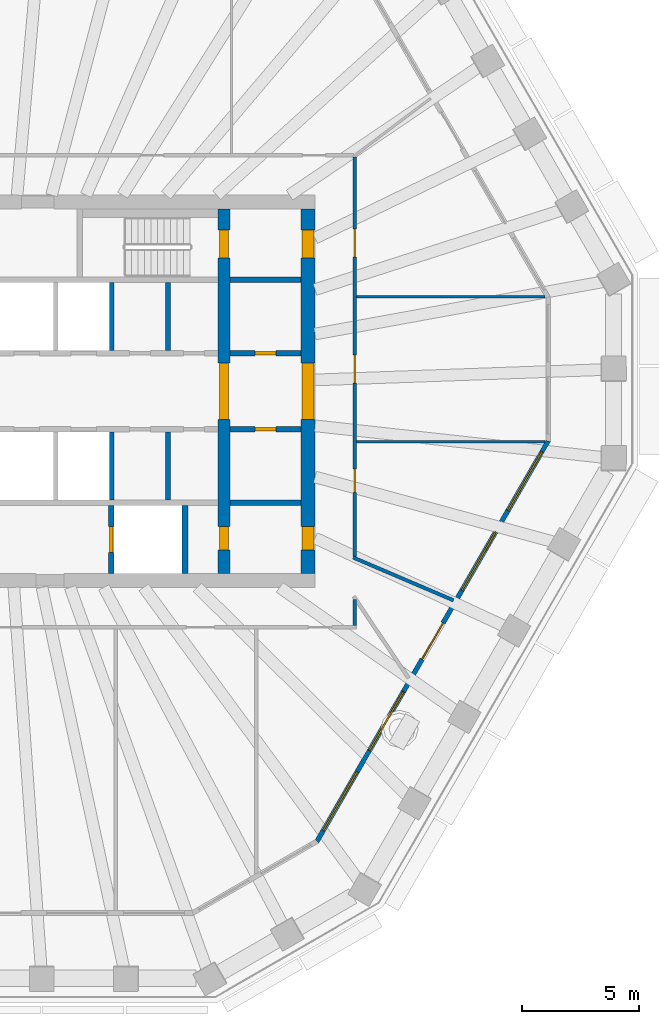
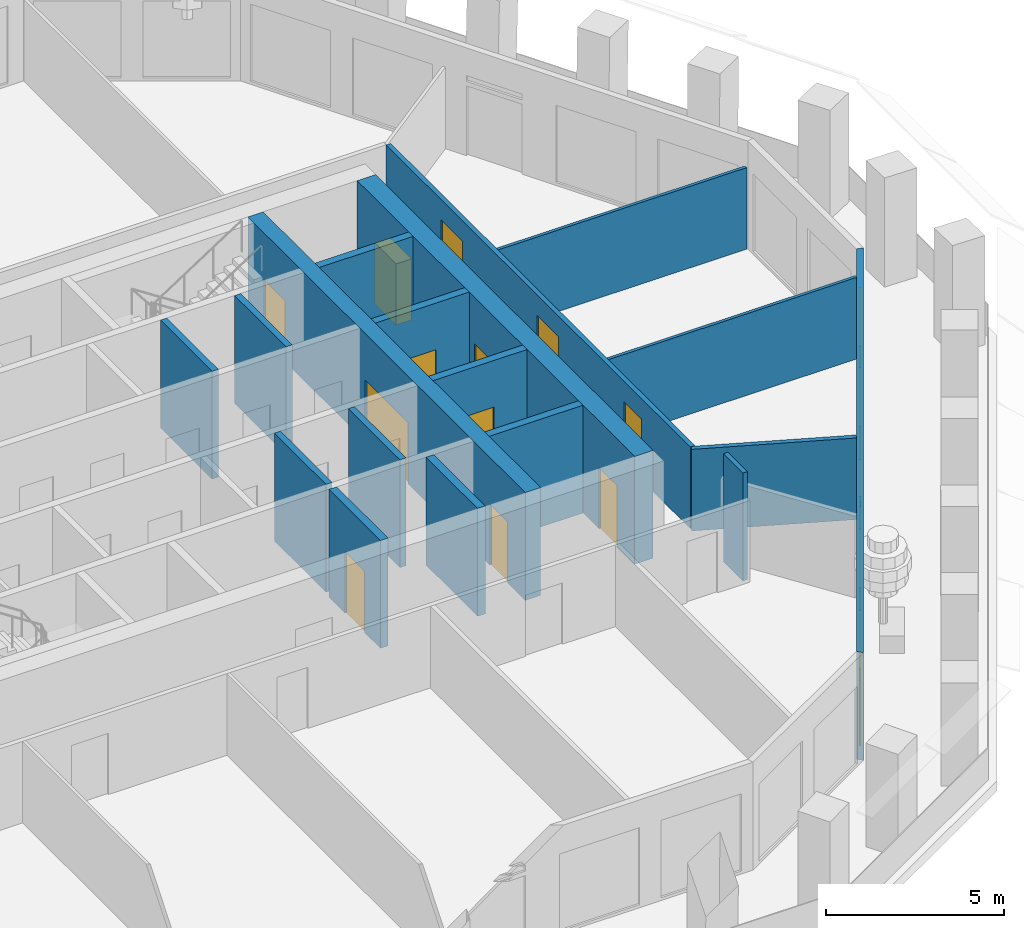
# One storey, part 6 of 12: 18 walls, 13 doors, 5 windows, 18 openings.
"""IFC4 building model written with IfcOpenShell, lengths in metres."""

import ifcopenshell
import ifcopenshell.guid

model = None  # the IFC model being written
_history = None  # IfcOwnerHistory: only IFC2X3 demands one
_inside = {}  # id of a spatial element -> (the spatial element, [elements in it])
_under = {}  # id of a project, library or spatial element -> (it, [spatial elements below it])
_declared = {}  # id of a project -> (the project, [libraries it declares])
_typed = {}  # id of a type object -> (the type object, [elements of that type])
_made_of = {}  # id of a material, layer set ... -> (it, [elements and type objects made of it])


def new_model(schema):
    """Start an empty IFC model of exactly this schema.

    Asked for "IFC4X3", IfcOpenShell would pick the latest addendum, in which some entities
    have other attributes; the version numbers below select the first issue.
    IFC2X3 requires an IfcOwnerHistory on every rooted entity: one is made here for all.
    """
    global model, _history
    if schema == "IFC4X3":
        model = ifcopenshell.file(schema_version=(4, 3, 0, 0))
    else:
        model = ifcopenshell.file(schema=schema)
    _inside.clear()
    _under.clear()
    _declared.clear()
    _typed.clear()
    _made_of.clear()
    _history = None
    if model.schema == "IFC2X3":
        org = make("IfcOrganization", Name="unknown")
        user = make(
            "IfcPersonAndOrganization",
            ThePerson=make("IfcPerson", FamilyName="unknown"),
            TheOrganization=org,
        )
        app = make(
            "IfcApplication",
            ApplicationDeveloper=org,
            Version="unknown",
            ApplicationFullName="unknown",
            ApplicationIdentifier="unknown",
        )
        _history = make(
            "IfcOwnerHistory",
            OwningUser=user,
            OwningApplication=app,
            ChangeAction="ADDED",
            CreationDate=0,
        )
    return model


def make(cls, **values):
    """One entity of the class cls with the attributes given. An attribute that is None is left unset."""
    return model.create_entity(
        cls, **{name: value for name, value in values.items() if value is not None}
    )


def rooted(cls, **values):
    """An entity with a GlobalId (a new one), such as an element, a storey or a relation."""
    return make(cls, GlobalId=ifcopenshell.guid.new(), OwnerHistory=_history, **values)


def si_unit(unit_type, name, prefix=None):
    """IfcSIUnit, for example si_unit("LENGTHUNIT", "METRE", prefix="MILLI")."""
    return make("IfcSIUnit", UnitType=unit_type, Prefix=prefix, Name=name)


def assignment(units):
    """IfcUnitAssignment: the units of a project."""
    return None if units is None else make("IfcUnitAssignment", Units=units)


def point(xyz):
    """IfcCartesianPoint."""
    return None if xyz is None else make("IfcCartesianPoint", Coordinates=xyz)


def direction(xyz):
    """IfcDirection."""
    return None if xyz is None else make("IfcDirection", DirectionRatios=xyz)


def frame(location, z_axis=None, x_axis=None):
    """IfcAxis2Placement3D, a coordinate frame: its origin and axes. An axis left out is left unset."""
    return make(
        "IfcAxis2Placement3D",
        Location=point(location),
        Axis=direction(z_axis),
        RefDirection=direction(x_axis),
    )


def frame_2d(location, x_axis=None):
    """IfcAxis2Placement2D, a coordinate frame in the plane: its origin and x axis."""
    return make(
        "IfcAxis2Placement2D", Location=point(location), RefDirection=direction(x_axis)
    )


def origin():
    """The frame at (0, 0, 0) with its axes left unset."""
    return frame((0.0, 0.0, 0.0))


def place(relative_to, where):
    """IfcLocalPlacement: puts the frame where relative to a parent placement (None: the world)."""
    return make(
        "IfcLocalPlacement", PlacementRelTo=relative_to, RelativePlacement=where
    )


def context(
    kind, dimensions, precision=None, world=None, true_north=None, identifier=None
):
    """IfcGeometricRepresentationContext, for example the 3D "Model" context."""
    return make(
        "IfcGeometricRepresentationContext",
        ContextIdentifier=identifier,
        ContextType=kind,
        CoordinateSpaceDimension=dimensions,
        Precision=precision,
        WorldCoordinateSystem=world,
        TrueNorth=true_north,
    )


def subcontext(parent, identifier, kind, view, scale=None):
    """IfcGeometricRepresentationSubContext, for example "Body" below "Model"."""
    return make(
        "IfcGeometricRepresentationSubContext",
        ContextIdentifier=identifier,
        ContextType=kind,
        ParentContext=parent,
        TargetScale=scale,
        TargetView=view,
    )


def project(units=None, contexts=None):
    """IfcProject with its units and contexts."""
    return rooted(
        "IfcProject",
        Name="project",
        RepresentationContexts=contexts,
        UnitsInContext=assignment(units),
    )


def spatial(cls, under=None, at=None, **own):
    """A site, building, storey or space (cls), placed at a placement, below another one or the project."""
    s = rooted(cls, ObjectPlacement=at, **own)
    if under is not None:
        _under.setdefault(under.id(), (under, []))[1].append(s)
    return s


def polyline(points):
    """IfcPolyline through the points."""
    return make("IfcPolyline", Points=[point(p) for p in points])


def profile(cls, at=None, kind="AREA", **sizes):
    """A parametric profile (cls). Its sizes go by their IFC names, for example OverallWidth=200.0."""
    return make(cls, ProfileType=kind, Position=at, **sizes)


def rectangle(**sizes):
    """IfcRectangleProfileDef."""
    return profile("IfcRectangleProfileDef", **sizes)


def outline(outer, holes=None, kind="AREA"):
    """IfcArbitraryClosedProfileDef: a profile drawn as a closed curve; with holes, ...WithVoids."""
    if holes is None:
        return make("IfcArbitraryClosedProfileDef", ProfileType=kind, OuterCurve=outer)
    return make(
        "IfcArbitraryProfileDefWithVoids",
        ProfileType=kind,
        OuterCurve=outer,
        InnerCurves=holes,
    )


def extrude(swept, where, along, depth):
    """IfcExtrudedAreaSolid: the profile swept, set in the frame where, extruded along a direction by depth."""
    return make(
        "IfcExtrudedAreaSolid",
        SweptArea=swept,
        Position=where,
        ExtrudedDirection=direction(along),
        Depth=depth,
    )


def shape(context_of_items, identifier, shape_type, items):
    """IfcShapeRepresentation: the items that make up one representation, for example the "Body"."""
    return make(
        "IfcShapeRepresentation",
        ContextOfItems=context_of_items,
        RepresentationIdentifier=identifier,
        RepresentationType=shape_type,
        Items=items,
    )


def material(Name=None, Category=None):
    """IfcMaterial."""
    return make("IfcMaterial", Name=Name, Category=Category)


def layer(
    of_material, thickness, ventilated=None, Name=None, Category=None, Priority=None
):
    """IfcMaterialLayer: one layer of a wall or slab, of a material (None: an air gap)."""
    return make(
        "IfcMaterialLayer",
        Material=of_material,
        LayerThickness=thickness,
        IsVentilated=ventilated,
        Name=Name,
        Category=Category,
        Priority=Priority,
    )


def layer_set(layers, Name=None):
    """IfcMaterialLayerSet."""
    return make("IfcMaterialLayerSet", MaterialLayers=layers, LayerSetName=Name)


def made_of(thing, what):
    """Note that an element or type object is made of a material, layer set ...; save() writes the relation."""
    if what is not None:
        _made_of.setdefault(what.id(), (what, []))[1].append(thing)
    return thing


def type_object(cls, material=None, **own):
    """A type object (cls), such as IfcWallType, which elements share."""
    return made_of(rooted(cls, **own), material)


def element(
    cls,
    number,
    at=None,
    inside=None,
    cuts=None,
    type_object=None,
    material=None,
    context=None,
    identifier="Body",
    shape_type=None,
    held_by="IfcProductDefinitionShape",
    body=None,
    shapes=None,
    **own,
):
    """One element of the class cls, such as IfcWall. Its Tag is "e" and its number.

    at: its placement. inside: the storey or other place that contains it. cuts: it is an
    opening in that element (IfcRelVoidsElement). A single representation is given by context,
    identifier, shape_type and body (its items); several are given by shapes. held_by: the class
    of the entity that holds the representations. save() writes the other relations.
    """
    e = rooted(cls, Tag="e%d" % number, ObjectPlacement=at, **own)
    if body is not None:
        shapes = [shape(context, identifier, shape_type, body)]
    if shapes is not None:
        e.Representation = make(held_by, Representations=shapes)
    if inside is not None:
        _inside.setdefault(inside.id(), (inside, []))[1].append(e)
    if cuts is not None:
        rooted(
            "IfcRelVoidsElement", RelatingBuildingElement=cuts, RelatedOpeningElement=e
        )
    if type_object is not None:
        _typed.setdefault(type_object.id(), (type_object, []))[1].append(e)
    return made_of(e, material)


def fill(opening, filler):
    """IfcRelFillsElement: the door or window that sits in an opening."""
    return rooted(
        "IfcRelFillsElement",
        RelatingOpeningElement=opening,
        RelatedBuildingElement=filler,
    )


def aggregate(whole, parts):
    """IfcRelAggregates: a whole, such as a stair, and the parts it consists of."""
    return rooted("IfcRelAggregates", RelatingObject=whole, RelatedObjects=parts)


def save(model, path):
    """Write the relations noted so far, then the file.

    IfcRelAggregates (storeys below a building ...), IfcRelContainedInSpatialStructure (elements
    in a storey), IfcRelDefinesByType, IfcRelAssociatesMaterial and IfcRelDeclares: one each for
    every whole, place, type object, material and project.
    """
    for whole, parts in _under.values():
        aggregate(whole, parts)
    for where, things in _inside.values():
        rooted(
            "IfcRelContainedInSpatialStructure",
            RelatedElements=things,
            RelatingStructure=where,
        )
    for kind, things in _typed.values():
        rooted("IfcRelDefinesByType", RelatedObjects=things, RelatingType=kind)
    for what, things in _made_of.values():
        rooted("IfcRelAssociatesMaterial", RelatedObjects=things, RelatingMaterial=what)
    for by, libraries in _declared.values():
        rooted("IfcRelDeclares", RelatingContext=by, RelatedDefinitions=libraries)
    model.write(path)


model = new_model("IFC4")

# Units and contexts
model_context = context("Model", 3, precision=1e-05, world=origin(), true_north=direction((0.0, 1.0)))
body_context = subcontext(model_context, "Body", "Model", "MODEL_VIEW")
ifc_project = project(units=[si_unit("LENGTHUNIT", "METRE"), si_unit("AREAUNIT", "SQUARE_METRE"), si_unit("VOLUMEUNIT", "CUBIC_METRE"), si_unit("PLANEANGLEUNIT", "RADIAN"), si_unit("MASSUNIT", "GRAM", prefix="KILO")], contexts=[model_context])

# Site, building, storey
site_placement = place(None, origin())
site = spatial("IfcSite", under=ifc_project, at=site_placement, CompositionType="ELEMENT")
building_placement = place(site_placement, origin())
building = spatial("IfcBuilding", under=site, at=building_placement, Name="Frailejon Research Tower", CompositionType="ELEMENT")
storey_placement = place(building_placement, frame((0.0, 0.0, 241.39990234375)))
storey = spatial("IfcBuildingStorey", under=building, at=storey_placement, Name="L52", CompositionType="ELEMENT", Elevation=241.39990234375)

# Wall, openings, doors
ifc_material_1 = material(Name="Concrete C60/75", Category="concrete")
ifc_layer_1 = layer(ifc_material_1, 0.5)
ifc_layer_set_1 = layer_set([ifc_layer_1], Name="Core shear wall 500 C60/75")
wall_type_1 = type_object("IfcWallType", Name="Core shear wall 500 C60/75", PredefinedType="SHEAR", material=ifc_layer_set_1)
wall_1_placement = place(storey_placement, frame((9.60009765625, -7.800048828125, 0.0), z_axis=(0.0, 0.0, 1.0), x_axis=(0.0, 1.0, 0.0)))
wall_1 = element("IfcWall", 1, at=wall_1_placement, inside=storey, type_object=wall_type_1, Name="Core shear wall", PredefinedType="SHEAR", context=body_context, shape_type="SweptSolid", body=[
    extrude(rectangle(XDim=15.60009765625, YDim=0.5, at=frame_2d((7.800048828125, 0.0))), origin(), (0.0, 0.0, 1.0), 3.7001953125),
])
opening_1_placement = place(wall_1_placement, frame((6.60009765625, 0.0, 0.0)))
opening_1 = element("IfcOpeningElement", 2, at=opening_1_placement, cuts=wall_1, Name="Opening D2", PredefinedType="OPENING", context=body_context, shape_type="SweptSolid", body=[
    extrude(rectangle(XDim=2.39990234375, YDim=2.10009765625, at=frame_2d((1.199951171875, 1.050048828125))), frame((0.0, 0.260009765625, 0.0), z_axis=(0.0, -1.0, 0.0), x_axis=(1.0, 0.0, 0.0)), (0.0, 0.0, 1.0), 0.52001953125),
])
opening_2_placement = place(wall_1_placement, frame((13.5, 0.0, 0.0)))
opening_2 = element("IfcOpeningElement", 3, at=opening_2_placement, cuts=wall_1, Name="Opening D1", PredefinedType="OPENING", context=body_context, shape_type="SweptSolid", body=[
    extrude(rectangle(XDim=1.199951171875, YDim=2.10009765625, at=frame_2d((0.60009765625, 1.050048828125))), frame((0.0, 0.260009765625, 0.0), z_axis=(0.0, -1.0, 0.0), x_axis=(1.0, 0.0, 0.0)), (0.0, 0.0, 1.0), 0.52001953125),
])
opening_3_placement = place(wall_1_placement, frame((1.0, 0.0, 0.0)))
opening_3 = element("IfcOpeningElement", 4, at=opening_3_placement, cuts=wall_1, Name="Opening D4", PredefinedType="OPENING", context=body_context, shape_type="SweptSolid", body=[
    extrude(rectangle(XDim=1.0, YDim=2.10009765625, at=frame_2d((0.5, 1.050048828125))), frame((0.0, 0.260009765625, 0.0), z_axis=(0.0, -1.0, 0.0), x_axis=(1.0, 0.0, 0.0)), (0.0, 0.0, 1.0), 0.52001953125),
])
ifc_material_2 = material(Name="Steel", Category="steel")
door_type_1 = type_object("IfcDoorType", Name="Lobby double door", OperationType="DOUBLE_DOOR_SINGLE_SWING", PredefinedType="DOOR", material=ifc_material_2)
door_1_placement = place(opening_1_placement, origin())
door_1 = element("IfcDoor", 5, at=door_1_placement, inside=storey, type_object=door_type_1, Name="Lobby door", OperationType="DOUBLE_DOOR_SINGLE_SWING", OverallHeight=2.10009765625, OverallWidth=2.39990234375, PredefinedType="DOOR", context=body_context, shape_type="SweptSolid", body=[
    extrude(rectangle(XDim=2.39990234375, YDim=2.10009765625, at=frame_2d((1.199951171875, 1.050048828125))), frame((0.0, 0.199951171875, 0.0), z_axis=(0.0, -1.0, 0.0), x_axis=(1.0, 0.0, 0.0)), (0.0, 0.0, 1.0), 0.39990234375),
])
fill(opening_1, door_1)
ifc_material_3 = material(Name="Steel", Category="steel")
door_type_2 = type_object("IfcDoorType", Name="Service door", OperationType="SINGLE_SWING_LEFT", PredefinedType="DOOR", material=ifc_material_3)
door_2_placement = place(opening_3_placement, origin())
door_2 = element("IfcDoor", 6, at=door_2_placement, inside=storey, type_object=door_type_2, Name="Riser door", OperationType="SINGLE_SWING_RIGHT", OverallHeight=2.10009765625, OverallWidth=1.0, PredefinedType="DOOR", context=body_context, shape_type="SweptSolid", body=[
    extrude(rectangle(XDim=1.0, YDim=2.10009765625, at=frame_2d((0.5, 1.050048828125))), frame((0.0, 0.199951171875, 0.0), z_axis=(0.0, -1.0, 0.0), x_axis=(1.0, 0.0, 0.0)), (0.0, 0.0, 1.0), 0.39990234375),
])
fill(opening_3, door_2)
ifc_material_4 = material(Name="Steel", Category="steel")
door_type_3 = type_object("IfcDoorType", Name="Stair door", OperationType="SINGLE_SWING_LEFT", PredefinedType="DOOR", material=ifc_material_4)
door_3_placement = place(opening_2_placement, origin())
door_3 = element("IfcDoor", 7, at=door_3_placement, inside=storey, type_object=door_type_3, Name="Stair door ST3", OperationType="SINGLE_SWING_RIGHT", OverallHeight=2.10009765625, OverallWidth=1.199951171875, PredefinedType="DOOR", context=body_context, shape_type="SweptSolid", body=[
    extrude(rectangle(XDim=1.199951171875, YDim=2.10009765625, at=frame_2d((0.60009765625, 1.050048828125))), frame((0.0, 0.199951171875, 0.0), z_axis=(0.0, -1.0, 0.0), x_axis=(1.0, 0.0, 0.0)), (0.0, 0.0, 1.0), 0.39990234375),
])
fill(opening_2, door_3)

ifc_material_5 = material(Name="Concrete C60/75", Category="concrete")
ifc_layer_2 = layer(ifc_material_5, 0.60009765625)
ifc_layer_set_2 = layer_set([ifc_layer_2], Name="Core shear wall 600 C60/75")
wall_type_2 = type_object("IfcWallType", Name="Core shear wall 600 C60/75", PredefinedType="SHEAR", material=ifc_layer_set_2)
wall_2_placement = place(storey_placement, frame((13.199951171875, -7.800048828125, 0.0), z_axis=(0.0, 0.0, 1.0), x_axis=(0.0, 1.0, 0.0)))
wall_2 = element("IfcWall", 8, at=wall_2_placement, inside=storey, type_object=wall_type_2, Name="Core shear wall", PredefinedType="SHEAR", context=body_context, shape_type="SweptSolid", body=[
    extrude(rectangle(XDim=15.60009765625, YDim=0.60009765625, at=frame_2d((7.800048828125, 0.0))), origin(), (0.0, 0.0, 1.0), 3.7001953125),
])
opening_4_placement = place(wall_2_placement, frame((6.60009765625, 0.0, 0.0)))
opening_4 = element("IfcOpeningElement", 9, at=opening_4_placement, cuts=wall_2, Name="Opening D2", PredefinedType="OPENING", context=body_context, shape_type="SweptSolid", body=[
    extrude(rectangle(XDim=2.39990234375, YDim=2.10009765625, at=frame_2d((1.199951171875, 1.050048828125))), frame((0.0, 0.31005859375, 0.0), z_axis=(0.0, -1.0, 0.0), x_axis=(1.0, 0.0, 0.0)), (0.0, 0.0, 1.0), 0.6201171875),
])
opening_5_placement = place(wall_2_placement, frame((13.5, 0.0, 0.0)))
opening_5 = element("IfcOpeningElement", 10, at=opening_5_placement, cuts=wall_2, Name="Opening D7", PredefinedType="OPENING", context=body_context, shape_type="SweptSolid", body=[
    extrude(rectangle(XDim=1.199951171875, YDim=2.10009765625, at=frame_2d((0.60009765625, 1.050048828125))), frame((0.0, 0.31005859375, 0.0), z_axis=(0.0, -1.0, 0.0), x_axis=(1.0, 0.0, 0.0)), (0.0, 0.0, 1.0), 0.6201171875),
])
opening_6_placement = place(wall_2_placement, frame((1.0, 0.0, 0.0)))
opening_6 = element("IfcOpeningElement", 11, at=opening_6_placement, cuts=wall_2, Name="Opening D4", PredefinedType="OPENING", context=body_context, shape_type="SweptSolid", body=[
    extrude(rectangle(XDim=1.0, YDim=2.10009765625, at=frame_2d((0.5, 1.050048828125))), frame((0.0, 0.31005859375, 0.0), z_axis=(0.0, -1.0, 0.0), x_axis=(1.0, 0.0, 0.0)), (0.0, 0.0, 1.0), 0.6201171875),
])
door_4_placement = place(opening_4_placement, origin())
door_4 = element("IfcDoor", 12, at=door_4_placement, inside=storey, type_object=door_type_1, Name="Lobby door", OperationType="DOUBLE_DOOR_SINGLE_SWING", OverallHeight=2.10009765625, OverallWidth=2.39990234375, PredefinedType="DOOR", context=body_context, shape_type="SweptSolid", body=[
    extrude(rectangle(XDim=2.39990234375, YDim=2.10009765625, at=frame_2d((1.199951171875, 1.050048828125))), frame((0.0, 0.25, 0.0), z_axis=(0.0, -1.0, 0.0), x_axis=(1.0, 0.0, 0.0)), (0.0, 0.0, 1.0), 0.5),
])
fill(opening_4, door_4)
door_5_placement = place(opening_6_placement, origin())
door_5 = element("IfcDoor", 13, at=door_5_placement, inside=storey, type_object=door_type_2, Name="Store door", OperationType="SINGLE_SWING_LEFT", OverallHeight=2.10009765625, OverallWidth=1.0, PredefinedType="DOOR", context=body_context, shape_type="SweptSolid", body=[
    extrude(rectangle(XDim=1.0, YDim=2.10009765625, at=frame_2d((0.5, 1.050048828125))), frame((0.0, 0.25, 0.0), z_axis=(0.0, -1.0, 0.0), x_axis=(1.0, 0.0, 0.0)), (0.0, 0.0, 1.0), 0.5),
])
fill(opening_6, door_5)
ifc_material_6 = material(Name="Steel", Category="steel")
door_type_4 = type_object("IfcDoorType", Name="Stair exit door", OperationType="SINGLE_SWING_LEFT", PredefinedType="DOOR", material=ifc_material_6)
door_6_placement = place(opening_5_placement, origin())
door_6 = element("IfcDoor", 14, at=door_6_placement, inside=storey, type_object=door_type_4, Name="Stair exit door ST3", OperationType="SINGLE_SWING_LEFT", OverallHeight=2.10009765625, OverallWidth=1.199951171875, PredefinedType="DOOR", context=body_context, shape_type="SweptSolid", body=[
    extrude(rectangle(XDim=1.199951171875, YDim=2.10009765625, at=frame_2d((0.60009765625, 1.050048828125))), frame((0.0, 0.25, 0.0), z_axis=(0.0, -1.0, 0.0), x_axis=(1.0, 0.0, 0.0)), (0.0, 0.0, 1.0), 0.5),
])
fill(opening_5, door_6)

# Wall
ifc_material_7 = material(Name="Gypsum board and masonry partition", Category="masonry")
ifc_layer_3 = layer(ifc_material_7, 0.14990234375)
ifc_layer_set_3 = layer_set([ifc_layer_3], Name="Corridor wall EI 60, gypsum on steel studs 150")
wall_type_3 = type_object("IfcWallType", Name="Corridor wall EI 60, gypsum on steel studs 150", PredefinedType="PARTITIONING", material=ifc_layer_set_3)
wall_3_placement = place(storey_placement, frame((15.199951171875, -10.02490234375, 0.0), z_axis=(0.0, 0.0, 1.0), x_axis=(0.0, 1.0, 0.0)))
element("IfcWall", 15, at=wall_3_placement, inside=storey, type_object=wall_type_3, Name="T:IW:L52:003", PredefinedType="PARTITIONING", context=body_context, shape_type="SweptSolid", body=[
    extrude(rectangle(XDim=1.099853515625, YDim=0.14990234375, at=frame_2d((0.5498046875, 0.0))), origin(), (0.0, 0.0, 1.0), 3.7001953125),
])

# Wall, openings, doors
wall_4_placement = place(storey_placement, frame((15.199951171875, -7.074951171875, 0.0), z_axis=(0.0, 0.0, 1.0), x_axis=(0.0, 1.0, 0.0)))
wall_4 = element("IfcWall", 16, at=wall_4_placement, inside=storey, type_object=wall_type_3, Name="T:IW:L52:004", PredefinedType="PARTITIONING", context=body_context, shape_type="SweptSolid", body=[
    extrude(rectangle(XDim=17.099853515625, YDim=0.14990234375, at=frame_2d((8.5498046875, 0.0))), origin(), (0.0, 0.0, 1.0), 2.800048828125),
])
opening_7_placement = place(wall_4_placement, frame((7.417724609375, 0.0, 0.0)))
opening_7 = element("IfcOpeningElement", 17, at=opening_7_placement, cuts=wall_4, Name="Opening D2021", PredefinedType="OPENING", context=body_context, shape_type="SweptSolid", body=[
    extrude(rectangle(XDim=1.199951171875, YDim=2.10009765625, at=frame_2d((0.60009765625, 1.050048828125))), frame((0.0, 0.0849609375, 0.0), z_axis=(0.0, -1.0, 0.0), x_axis=(1.0, 0.0, 0.0)), (0.0, 0.0, 1.0), 0.169921875),
])
opening_8_placement = place(wall_4_placement, frame((12.815185546875, 0.0, 0.0)))
opening_8 = element("IfcOpeningElement", 18, at=opening_8_placement, cuts=wall_4, Name="Opening D2022", PredefinedType="OPENING", context=body_context, shape_type="SweptSolid", body=[
    extrude(rectangle(XDim=1.199951171875, YDim=2.10009765625, at=frame_2d((0.60009765625, 1.050048828125))), frame((0.0, 0.0849609375, 0.0), z_axis=(0.0, -1.0, 0.0), x_axis=(1.0, 0.0, 0.0)), (0.0, 0.0, 1.0), 0.169921875),
])
opening_9_placement = place(wall_4_placement, frame((2.7421875, 0.0, 0.0)))
opening_9 = element("IfcOpeningElement", 19, at=opening_9_placement, cuts=wall_4, Name="Opening D2035", PredefinedType="OPENING", context=body_context, shape_type="SweptSolid", body=[
    extrude(rectangle(XDim=1.0, YDim=2.10009765625, at=frame_2d((0.5, 1.050048828125))), frame((0.0, 0.0849609375, 0.0), z_axis=(0.0, -1.0, 0.0), x_axis=(1.0, 0.0, 0.0)), (0.0, 0.0, 1.0), 0.169921875),
])
ifc_material_8 = material(Name="Timber door leaf", Category="wood")
door_type_5 = type_object("IfcDoorType", Name="Door single leaf, timber, steel frame 1000", OperationType="NOTDEFINED", PredefinedType="DOOR", material=ifc_material_8)
door_7_placement = place(opening_9_placement, origin())
door_7 = element("IfcDoor", 20, at=door_7_placement, inside=storey, type_object=door_type_5, Name="D2035", OperationType="SINGLE_SWING_RIGHT", OverallHeight=2.10009765625, OverallWidth=1.0, PredefinedType="DOOR", context=body_context, shape_type="SweptSolid", body=[
    extrude(rectangle(XDim=1.0, YDim=2.10009765625, at=frame_2d((0.5, 1.050048828125))), frame((0.0, 0.02490234375, 0.0), z_axis=(0.0, -1.0, 0.0), x_axis=(1.0, 0.0, 0.0)), (0.0, 0.0, 1.0), 0.050048828125),
])
fill(opening_9, door_7)
ifc_material_9 = material(Name="Timber door leaf", Category="wood")
door_type_6 = type_object("IfcDoorType", Name="Door single leaf, timber, steel frame 1200", OperationType="NOTDEFINED", PredefinedType="DOOR", material=ifc_material_9)
door_8_placement = place(opening_7_placement, origin())
door_8 = element("IfcDoor", 21, at=door_8_placement, inside=storey, type_object=door_type_6, Name="D2021", OperationType="DOUBLE_DOOR_SINGLE_SWING", OverallHeight=2.10009765625, OverallWidth=1.199951171875, PredefinedType="DOOR", context=body_context, shape_type="SweptSolid", body=[
    extrude(rectangle(XDim=1.199951171875, YDim=2.10009765625, at=frame_2d((0.60009765625, 1.050048828125))), frame((0.0, 0.02490234375, 0.0), z_axis=(0.0, -1.0, 0.0), x_axis=(1.0, 0.0, 0.0)), (0.0, 0.0, 1.0), 0.050048828125),
])
fill(opening_7, door_8)
door_9_placement = place(opening_8_placement, origin())
door_9 = element("IfcDoor", 22, at=door_9_placement, inside=storey, type_object=door_type_6, Name="D2022", OperationType="DOUBLE_DOOR_SINGLE_SWING", OverallHeight=2.10009765625, OverallWidth=1.199951171875, PredefinedType="DOOR", context=body_context, shape_type="SweptSolid", body=[
    extrude(rectangle(XDim=1.199951171875, YDim=2.10009765625, at=frame_2d((0.60009765625, 1.050048828125))), frame((0.0, 0.02490234375, 0.0), z_axis=(0.0, -1.0, 0.0), x_axis=(1.0, 0.0, 0.0)), (0.0, 0.0, 1.0), 0.050048828125),
])
fill(opening_8, door_9)

# Walls
wall_5_placement = place(storey_placement, frame((15.131103515625, -7.12060546875, 0.0), z_axis=(0.0, 0.0, 1.0), x_axis=(0.919795529943, -0.39239799069, 0.0)))
element("IfcWall", 23, at=wall_5_placement, inside=storey, type_object=wall_type_3, Name="T:IW:L52:010", PredefinedType="PARTITIONING", context=body_context, shape_type="SweptSolid", body=[
    extrude(rectangle(XDim=4.66943359375, YDim=0.14990234375, at=frame_2d((2.334716796875, 0.0))), origin(), (0.0, 0.0, 1.0), 2.800048828125),
])
ifc_material_10 = material(Name="Gypsum board and masonry partition", Category="masonry")
ifc_layer_4 = layer(ifc_material_10, 0.10009765625)
ifc_layer_set_4 = layer_set([ifc_layer_4], Name="Partition, gypsum on steel studs 100")
wall_type_4 = type_object("IfcWallType", Name="Partition, gypsum on steel studs 100", PredefinedType="PARTITIONING", material=ifc_layer_set_4)
for number, where, z_axis, x_axis, name in (
    (24, (15.27490234375, 4.0458984375, 0.0), (0.0, 0.0, 1.0), (1.0, 0.0, 0.0), "T:IW:L52:014"),
    (25, (15.27490234375, -2.160400390625, 0.0), (0.0, 0.0, 1.0), (1.0, 0.0, 0.0), "T:IW:L52:015"),
):
    element("IfcWall", number, at=place(storey_placement, frame(where, z_axis=z_axis, x_axis=x_axis)), inside=storey, type_object=wall_type_4, Name=name, PredefinedType="PARTITIONING", context=body_context, shape_type="SweptSolid", body=[
        extrude(rectangle(XDim=8.072998046875, YDim=0.10009765625, at=frame_2d((4.03662109375, 0.0))), origin(), (0.0, 0.0, 1.0), 2.800048828125),
    ])
ifc_material_11 = material(Name="Concrete C60/75", Category="concrete")
ifc_layer_5 = layer(ifc_material_11, 0.199951171875)
ifc_layer_set_5 = layer_set([ifc_layer_5], Name="Shaft wall 200 C60/75")
wall_type_5 = type_object("IfcWallType", Name="Shaft wall 200 C60/75", PredefinedType="SOLIDWALL", material=ifc_layer_set_5)
for number, where, z_axis, x_axis, name in (
    (26, (4.800048828125, 1.75, 0.0), (0.0, 0.0, 1.0), (0.0, 1.0, 0.0), "Shaft wall"),
    (27, (7.199951171875, 1.75, 0.0), (0.0, 0.0, 1.0), (0.0, 1.0, 0.0), "Shaft wall"),
    (28, (4.800048828125, -4.64990234375, 0.0), (0.0, 0.0, 1.0), (0.0, 1.0, 0.0), "Shaft wall"),
    (29, (7.199951171875, -4.64990234375, 0.0), (0.0, 0.0, 1.0), (0.0, 1.0, 0.0), "Shaft wall"),
):
    element("IfcWall", number, at=place(storey_placement, frame(where, z_axis=z_axis, x_axis=x_axis)), inside=storey, type_object=wall_type_5, Name=name, PredefinedType="SOLIDWALL", context=body_context, shape_type="SweptSolid", body=[
        extrude(rectangle(XDim=2.89990234375, YDim=0.199951171875, at=frame_2d((1.449951171875, 0.0))), origin(), (0.0, 0.0, 1.0), 3.7001953125),
    ])

# Wall, opening, door
ifc_material_12 = material(Name="Concrete C60/75", Category="concrete")
ifc_layer_6 = layer(ifc_material_12, 0.25)
ifc_layer_set_6 = layer_set([ifc_layer_6], Name="Shaft wall 250 C60/75")
wall_type_6 = type_object("IfcWallType", Name="Shaft wall 250 C60/75", PredefinedType="SOLIDWALL", material=ifc_layer_set_6)
wall_6_placement = place(storey_placement, frame((9.85009765625, 1.625, 0.0), z_axis=(0.0, 0.0, 1.0), x_axis=(1.0, 0.0, 0.0)))
wall_6 = element("IfcWall", 30, at=wall_6_placement, inside=storey, type_object=wall_type_6, Name="Shaft wall", PredefinedType="SOLIDWALL", context=body_context, shape_type="SweptSolid", body=[
    extrude(rectangle(XDim=3.0498046875, YDim=0.25, at=frame_2d((1.52490234375, 0.0))), origin(), (0.0, 0.0, 1.0), 3.7001953125),
])
opening_10_placement = place(wall_6_placement, frame((1.074951171875, 0.0, 0.0)))
opening_10 = element("IfcOpeningElement", 31, at=opening_10_placement, cuts=wall_6, Name="Opening D8", PredefinedType="OPENING", context=body_context, shape_type="SweptSolid", body=[
    extrude(rectangle(XDim=0.89990234375, YDim=2.10009765625, at=frame_2d((0.449951171875, 1.050048828125))), frame((0.0, 0.135009765625, 0.0), z_axis=(0.0, -1.0, 0.0), x_axis=(1.0, 0.0, 0.0)), (0.0, 0.0, 1.0), 0.27001953125),
])
ifc_material_13 = material(Name="Steel", Category="steel")
door_type_7 = type_object("IfcDoorType", Name="Core room door", OperationType="SINGLE_SWING_LEFT", PredefinedType="DOOR", material=ifc_material_13)
door_10_placement = place(opening_10_placement, origin())
door_10 = element("IfcDoor", 32, at=door_10_placement, inside=storey, type_object=door_type_7, Name="Room door", OperationType="SINGLE_SWING_RIGHT", OverallHeight=2.10009765625, OverallWidth=0.89990234375, PredefinedType="DOOR", context=body_context, shape_type="SweptSolid", body=[
    extrude(rectangle(XDim=0.89990234375, YDim=2.10009765625, at=frame_2d((0.449951171875, 1.050048828125))), frame((0.0, 0.074951171875, 0.0), z_axis=(0.0, -1.0, 0.0), x_axis=(1.0, 0.0, 0.0)), (0.0, 0.0, 1.0), 0.14990234375),
])
fill(opening_10, door_10)

# Wall
wall_7_placement = place(storey_placement, frame((9.85009765625, 4.77490234375, 0.0), z_axis=(0.0, 0.0, 1.0), x_axis=(1.0, 0.0, 0.0)))
element("IfcWall", 33, at=wall_7_placement, inside=storey, type_object=wall_type_6, Name="Shaft wall", PredefinedType="SOLIDWALL", context=body_context, shape_type="SweptSolid", body=[
    extrude(rectangle(XDim=3.0498046875, YDim=0.25, at=frame_2d((1.52490234375, 0.0))), origin(), (0.0, 0.0, 1.0), 3.7001953125),
])

# Wall, opening, door
wall_8_placement = place(storey_placement, frame((9.85009765625, -1.625, 0.0), z_axis=(0.0, 0.0, 1.0), x_axis=(1.0, 0.0, 0.0)))
wall_8 = element("IfcWall", 34, at=wall_8_placement, inside=storey, type_object=wall_type_6, Name="Shaft wall", PredefinedType="SOLIDWALL", context=body_context, shape_type="SweptSolid", body=[
    extrude(rectangle(XDim=3.0498046875, YDim=0.25, at=frame_2d((1.52490234375, 0.0))), origin(), (0.0, 0.0, 1.0), 3.7001953125),
])
opening_11_placement = place(wall_8_placement, frame((1.074951171875, 0.0, 0.0)))
opening_11 = element("IfcOpeningElement", 35, at=opening_11_placement, cuts=wall_8, Name="Opening D8", PredefinedType="OPENING", context=body_context, shape_type="SweptSolid", body=[
    extrude(rectangle(XDim=0.89990234375, YDim=2.10009765625, at=frame_2d((0.449951171875, 1.050048828125))), frame((0.0, 0.135009765625, 0.0), z_axis=(0.0, -1.0, 0.0), x_axis=(1.0, 0.0, 0.0)), (0.0, 0.0, 1.0), 0.27001953125),
])
door_11_placement = place(opening_11_placement, origin())
door_11 = element("IfcDoor", 36, at=door_11_placement, inside=storey, type_object=door_type_7, Name="Room door", OperationType="SINGLE_SWING_LEFT", OverallHeight=2.10009765625, OverallWidth=0.89990234375, PredefinedType="DOOR", context=body_context, shape_type="SweptSolid", body=[
    extrude(rectangle(XDim=0.89990234375, YDim=2.10009765625, at=frame_2d((0.449951171875, 1.050048828125))), frame((0.0, 0.074951171875, 0.0), z_axis=(0.0, -1.0, 0.0), x_axis=(1.0, 0.0, 0.0)), (0.0, 0.0, 1.0), 0.14990234375),
])
fill(opening_11, door_11)

# Wall
wall_9_placement = place(storey_placement, frame((9.85009765625, -4.77490234375, 0.0), z_axis=(0.0, 0.0, 1.0), x_axis=(1.0, 0.0, 0.0)))
element("IfcWall", 37, at=wall_9_placement, inside=storey, type_object=wall_type_6, Name="Shaft wall", PredefinedType="SOLIDWALL", context=body_context, shape_type="SweptSolid", body=[
    extrude(rectangle(XDim=3.0498046875, YDim=0.25, at=frame_2d((1.52490234375, 0.0))), origin(), (0.0, 0.0, 1.0), 3.7001953125),
])

# Wall, opening, door
wall_10_placement = place(storey_placement, frame((4.77490234375, -7.800048828125, 0.0), z_axis=(0.0, 0.0, 1.0), x_axis=(0.0, 1.0, 0.0)))
wall_10 = element("IfcWall", 38, at=wall_10_placement, inside=storey, type_object=wall_type_6, Name="Shaft wall", PredefinedType="SOLIDWALL", context=body_context, shape_type="SweptSolid", body=[
    extrude(rectangle(XDim=2.900146484375, YDim=0.25, at=frame_2d((1.4501953125, 0.0))), origin(), (0.0, 0.0, 1.0), 3.7001953125),
])
opening_12_placement = place(wall_10_placement, frame((0.89990234375, 0.0, 0.0)))
opening_12 = element("IfcOpeningElement", 39, at=opening_12_placement, cuts=wall_10, Name="Opening LD", PredefinedType="OPENING", context=body_context, shape_type="SweptSolid", body=[
    extrude(rectangle(XDim=1.10009765625, YDim=2.10009765625, at=frame_2d((0.550048828125, 1.050048828125))), frame((0.0, 0.135009765625, 0.0), z_axis=(0.0, -1.0, 0.0), x_axis=(1.0, 0.0, 0.0)), (0.0, 0.0, 1.0), 0.27001953125),
])
ifc_material_14 = material(Name="Steel", Category="steel")
door_type_8 = type_object("IfcDoorType", Name="Lift landing door", OperationType="DOUBLE_DOOR_SLIDING", PredefinedType="DOOR", material=ifc_material_14)
door_12_placement = place(opening_12_placement, origin())
door_12 = element("IfcDoor", 40, at=door_12_placement, inside=storey, type_object=door_type_8, Name="Lift landing door", OperationType="DOUBLE_DOOR_SLIDING", OverallHeight=2.10009765625, OverallWidth=1.10009765625, PredefinedType="DOOR", context=body_context, shape_type="SweptSolid", body=[
    extrude(rectangle(XDim=1.10009765625, YDim=2.10009765625, at=frame_2d((0.550048828125, 1.050048828125))), frame((0.0, 0.074951171875, 0.0), z_axis=(0.0, -1.0, 0.0), x_axis=(1.0, 0.0, 0.0)), (0.0, 0.0, 1.0), 0.14990234375),
])
fill(opening_12, door_12)

# Wall
wall_11_placement = place(storey_placement, frame((7.925048828125, -7.800048828125, 0.0), z_axis=(0.0, 0.0, 1.0), x_axis=(0.0, 1.0, 0.0)))
element("IfcWall", 41, at=wall_11_placement, inside=storey, type_object=wall_type_6, Name="Shaft wall", PredefinedType="SOLIDWALL", context=body_context, shape_type="SweptSolid", body=[
    extrude(rectangle(XDim=2.900146484375, YDim=0.25, at=frame_2d((1.4501953125, 0.0))), origin(), (0.0, 0.0, 1.0), 3.7001953125),
])

# Wall, openings, door, windows
ifc_material_15 = material(Name="Concrete C40/50 precast window wall panel", Category="concrete")
ifc_layer_7 = layer(ifc_material_15, 0.199951171875)
ifc_layer_set_7 = layer_set([ifc_layer_7], Name="Window wall 200")
wall_type_7 = type_object("IfcWallType", Name="Window wall 200", PredefinedType="SOLIDWALL", material=ifc_layer_set_7)
wall_12_placement = place(storey_placement, frame((13.587158203125, -19.266357421875, 0.0), z_axis=(0.0, 0.0, 1.0), x_axis=(0.500004117472, 0.866023026548, 0.0)))
wall_12 = element("IfcWall", 42, at=wall_12_placement, inside=storey, type_object=wall_type_7, Name="Exterior wall L52", PredefinedType="SOLIDWALL", context=body_context, shape_type="SweptSolid", body=[
    extrude(outline(polyline([(-0.02685546875, -0.10009765625), (1.01708984375, -0.10009765625), (2.061279296875, -0.10009765625), (3.105224609375, -0.10009765625), (4.149169921875, -0.10009765625), (5.193359375, -0.10009765625), (6.2373046875, -0.10009765625), (7.281494140625, -0.10009765625), (8.325439453125, -0.10009765625), (9.369384765625, -0.10009765625), (10.41357421875, -0.10009765625), (11.45751953125, -0.10009765625), (12.50146484375, -0.10009765625), (13.545654296875, -0.10009765625), (14.589599609375, -0.10009765625), (15.6337890625, -0.10009765625), (16.677734375, -0.10009765625), (17.7216796875, -0.10009765625), (18.765869140625, -0.10009765625), (19.809814453125, -0.10009765625), (19.756103515625, 0.10009765625), (18.7177734375, 0.10009765625), (17.679443359375, 0.10009765625), (16.640869140625, 0.10009765625), (15.6025390625, 0.10009765625), (14.564208984375, 0.10009765625), (13.52587890625, 0.10009765625), (12.487548828125, 0.10009765625), (11.448974609375, 0.10009765625), (10.41064453125, 0.10009765625), (9.372314453125, 0.10009765625), (8.333984375, 0.10009765625), (7.29541015625, 0.10009765625), (6.257080078125, 0.10009765625), (5.21875, 0.10009765625), (4.180419921875, 0.10009765625), (3.14208984375, 0.10009765625), (2.103515625, 0.10009765625), (1.065185546875, 0.10009765625), (0.02685546875, 0.10009765625), (-0.02685546875, -0.10009765625)])), origin(), (0.0, 0.0, 1.0), 3.7001953125),
])
opening_13_placement = place(wall_12_placement, frame((0.5283203125, 0.0, 0.10009765625)))
opening_13 = element("IfcOpeningElement", 43, at=opening_13_placement, cuts=wall_12, Name="Opening W20", PredefinedType="OPENING", context=body_context, shape_type="SweptSolid", body=[
    extrude(rectangle(XDim=2.89990234375, YDim=2.64990234375, at=frame_2d((1.449951171875, 1.324951171875))), frame((0.0, 0.10986328125, 0.0), z_axis=(0.0, -1.0, 0.0), x_axis=(1.0, 0.0, 0.0)), (0.0, 0.0, 1.0), 0.219970703125),
])
opening_14_placement = place(wall_12_placement, frame((4.48486328125, 0.0, 0.10009765625)))
opening_14 = element("IfcOpeningElement", 44, at=opening_14_placement, cuts=wall_12, Name="Opening W20", PredefinedType="OPENING", context=body_context, shape_type="SweptSolid", body=[
    extrude(rectangle(XDim=2.89990234375, YDim=2.64990234375, at=frame_2d((1.449951171875, 1.324951171875))), frame((0.0, 0.10986328125, 0.0), z_axis=(0.0, -1.0, 0.0), x_axis=(1.0, 0.0, 0.0)), (0.0, 0.0, 1.0), 0.219970703125),
])
opening_15_placement = place(wall_12_placement, frame((8.991455078125, 0.0, 0.0)))
opening_15 = element("IfcOpeningElement", 45, at=opening_15_placement, cuts=wall_12, Name="Opening LG52-6", PredefinedType="OPENING", context=body_context, shape_type="SweptSolid", body=[
    extrude(rectangle(XDim=1.800048828125, YDim=2.39990234375, at=frame_2d((0.89990234375, 1.199951171875))), frame((0.0, 0.10986328125, 0.0), z_axis=(0.0, -1.0, 0.0), x_axis=(1.0, 0.0, 0.0)), (0.0, 0.0, 1.0), 0.219970703125),
])
opening_16_placement = place(wall_12_placement, frame((8.991455078125, 0.0, 2.550048828125)))
opening_16 = element("IfcOpeningElement", 46, at=opening_16_placement, cuts=wall_12, Name="Opening W19", PredefinedType="OPENING", context=body_context, shape_type="SweptSolid", body=[
    extrude(rectangle(XDim=1.800048828125, YDim=0.199951171875, at=frame_2d((0.89990234375, 0.10009765625))), frame((0.0, 0.10986328125, 0.0), z_axis=(0.0, -1.0, 0.0), x_axis=(1.0, 0.0, 0.0)), (0.0, 0.0, 1.0), 0.219970703125),
])
opening_17_placement = place(wall_12_placement, frame((12.398193359375, 0.0, 0.10009765625)))
opening_17 = element("IfcOpeningElement", 47, at=opening_17_placement, cuts=wall_12, Name="Opening W20", PredefinedType="OPENING", context=body_context, shape_type="SweptSolid", body=[
    extrude(rectangle(XDim=2.89990234375, YDim=2.64990234375, at=frame_2d((1.449951171875, 1.324951171875))), frame((0.0, 0.10986328125, 0.0), z_axis=(0.0, -1.0, 0.0), x_axis=(1.0, 0.0, 0.0)), (0.0, 0.0, 1.0), 0.219970703125),
])
opening_18_placement = place(wall_12_placement, frame((16.354736328125, 0.0, 0.10009765625)))
opening_18 = element("IfcOpeningElement", 48, at=opening_18_placement, cuts=wall_12, Name="Opening W20", PredefinedType="OPENING", context=body_context, shape_type="SweptSolid", body=[
    extrude(rectangle(XDim=2.89990234375, YDim=2.64990234375, at=frame_2d((1.449951171875, 1.324951171875))), frame((0.0, 0.10986328125, 0.0), z_axis=(0.0, -1.0, 0.0), x_axis=(1.0, 0.0, 0.0)), (0.0, 0.0, 1.0), 0.219970703125),
])
ifc_material_16 = material(Name="Aluminium framed glazed door leaf", Category="aluminium")
door_type_9 = type_object("IfcDoorType", Name="Loggia door 1800x2400", OperationType="DOUBLE_DOOR_SINGLE_SWING", PredefinedType="DOOR", material=ifc_material_16)
door_13_placement = place(opening_15_placement, origin())
door_13 = element("IfcDoor", 49, at=door_13_placement, inside=storey, type_object=door_type_9, Name="Door LG52-6", OperationType="DOUBLE_DOOR_SINGLE_SWING", OverallHeight=2.39990234375, OverallWidth=1.800048828125, PredefinedType="DOOR", context=body_context, shape_type="SweptSolid", body=[
    extrude(rectangle(XDim=1.800048828125, YDim=2.39990234375, at=frame_2d((0.89990234375, 1.199951171875))), frame((0.0, 0.02490234375, 0.0), z_axis=(0.0, -1.0, 0.0), x_axis=(1.0, 0.0, 0.0)), (0.0, 0.0, 1.0), 0.050048828125),
])
fill(opening_15, door_13)
ifc_material_17 = material(Name="Aluminium framed double glazing", Category="aluminium")
window_type_1 = type_object("IfcWindowType", Name="Window 1800x200", PartitioningType="SINGLE_PANEL", PredefinedType="WINDOW", material=ifc_material_17)
window_1_placement = place(opening_16_placement, origin())
window_1 = element("IfcWindow", 50, at=window_1_placement, inside=storey, type_object=window_type_1, Name="Window L52", OverallHeight=0.199951171875, OverallWidth=1.800048828125, PartitioningType="SINGLE_PANEL", PredefinedType="WINDOW", context=body_context, shape_type="SweptSolid", body=[
    extrude(rectangle(XDim=1.800048828125, YDim=0.199951171875, at=frame_2d((0.89990234375, 0.10009765625))), frame((0.0, 0.030029296875, 0.0), z_axis=(0.0, -1.0, 0.0), x_axis=(1.0, 0.0, 0.0)), (0.0, 0.0, 1.0), 0.06005859375),
])
fill(opening_16, window_1)
ifc_material_18 = material(Name="Aluminium framed double glazing", Category="aluminium")
window_type_2 = type_object("IfcWindowType", Name="Window 2900x2650", PartitioningType="SINGLE_PANEL", PredefinedType="WINDOW", material=ifc_material_18)
window_2_placement = place(opening_13_placement, origin())
window_2 = element("IfcWindow", 51, at=window_2_placement, inside=storey, type_object=window_type_2, Name="Window L52", OverallHeight=2.64990234375, OverallWidth=2.89990234375, PartitioningType="SINGLE_PANEL", PredefinedType="WINDOW", context=body_context, shape_type="SweptSolid", body=[
    extrude(rectangle(XDim=2.89990234375, YDim=2.64990234375, at=frame_2d((1.449951171875, 1.324951171875))), frame((0.0, 0.030029296875, 0.0), z_axis=(0.0, -1.0, 0.0), x_axis=(1.0, 0.0, 0.0)), (0.0, 0.0, 1.0), 0.06005859375),
])
fill(opening_13, window_2)
window_3_placement = place(opening_14_placement, origin())
window_3 = element("IfcWindow", 52, at=window_3_placement, inside=storey, type_object=window_type_2, Name="Window L52", OverallHeight=2.64990234375, OverallWidth=2.89990234375, PartitioningType="SINGLE_PANEL", PredefinedType="WINDOW", context=body_context, shape_type="SweptSolid", body=[
    extrude(rectangle(XDim=2.89990234375, YDim=2.64990234375, at=frame_2d((1.449951171875, 1.324951171875))), frame((0.0, 0.030029296875, 0.0), z_axis=(0.0, -1.0, 0.0), x_axis=(1.0, 0.0, 0.0)), (0.0, 0.0, 1.0), 0.06005859375),
])
fill(opening_14, window_3)
window_4_placement = place(opening_17_placement, origin())
window_4 = element("IfcWindow", 53, at=window_4_placement, inside=storey, type_object=window_type_2, Name="Window L52", OverallHeight=2.64990234375, OverallWidth=2.89990234375, PartitioningType="SINGLE_PANEL", PredefinedType="WINDOW", context=body_context, shape_type="SweptSolid", body=[
    extrude(rectangle(XDim=2.89990234375, YDim=2.64990234375, at=frame_2d((1.449951171875, 1.324951171875))), frame((0.0, 0.030029296875, 0.0), z_axis=(0.0, -1.0, 0.0), x_axis=(1.0, 0.0, 0.0)), (0.0, 0.0, 1.0), 0.06005859375),
])
fill(opening_17, window_4)
window_5_placement = place(opening_18_placement, origin())
window_5 = element("IfcWindow", 54, at=window_5_placement, inside=storey, type_object=window_type_2, Name="Window L52", OverallHeight=2.64990234375, OverallWidth=2.89990234375, PartitioningType="SINGLE_PANEL", PredefinedType="WINDOW", context=body_context, shape_type="SweptSolid", body=[
    extrude(rectangle(XDim=2.89990234375, YDim=2.64990234375, at=frame_2d((1.449951171875, 1.324951171875))), frame((0.0, 0.030029296875, 0.0), z_axis=(0.0, -1.0, 0.0), x_axis=(1.0, 0.0, 0.0)), (0.0, 0.0, 1.0), 0.06005859375),
])
fill(opening_18, window_5)

save(model, "model.ifc")
